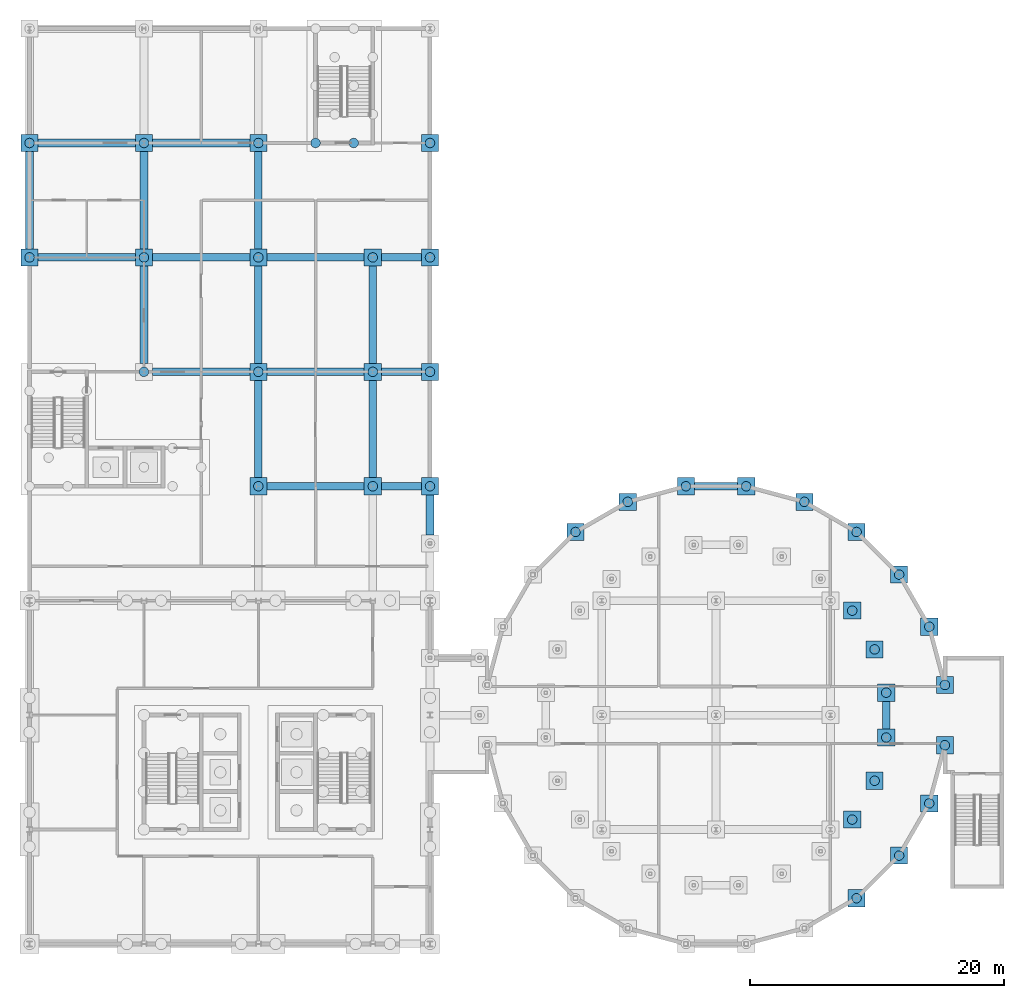
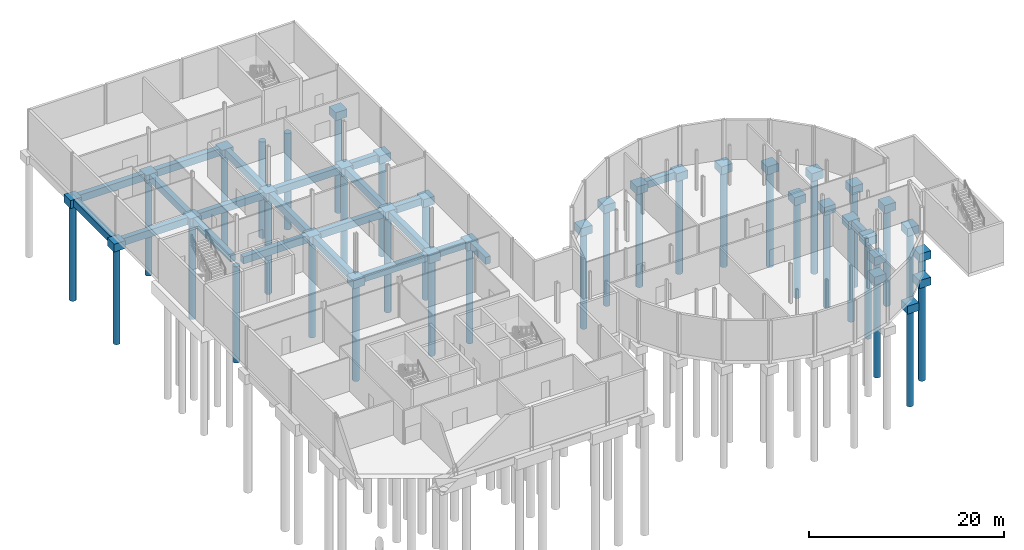
# One storey, part 3 of 25: 56 footings, 37 piles.
"""IFC4 building model written with IfcOpenShell, lengths in metres."""

from ifc_helpers import new_model, si_unit, direction, frame, origin, origin_2d, place, context, subcontext, project, spatial, polyline, circle, outline, extrude, material, material_profile, profile_set, type_object, element, save


model = new_model("IFC4")

# Units and contexts
model_context = context("Model", 3, precision=1e-05, world=origin(), true_north=direction((0.0, 1.0)))
body_context = subcontext(model_context, "Body", "Model", "MODEL_VIEW")
ifc_project = project(units=[si_unit("LENGTHUNIT", "METRE"), si_unit("AREAUNIT", "SQUARE_METRE"), si_unit("VOLUMEUNIT", "CUBIC_METRE"), si_unit("PLANEANGLEUNIT", "RADIAN"), si_unit("MASSUNIT", "GRAM", prefix="KILO")], contexts=[model_context])

# Site, building, storey
site_placement = place(None, origin())
site = spatial("IfcSite", under=ifc_project, at=site_placement, CompositionType="ELEMENT")
building_placement = place(site_placement, origin())
building = spatial("IfcBuilding", under=site, at=building_placement, Name="Hortulan Conservatory and Botanical Research Centre", CompositionType="ELEMENT")
storey_placement = place(building_placement, frame((0.0, 0.0, -5.0)))
storey = spatial("IfcBuildingStorey", under=building, at=storey_placement, Name="B1", CompositionType="ELEMENT", Elevation=-5.0)

# Piles
ifc_material = material(Name="Concrete N40 (40 MPa, AS 3600)", Category="concrete")
ifc_material_profile = material_profile(ifc_material, circle(Radius=0.375, at=origin_2d()), Name="Bored pile 750 diameter")
ifc_profile_set = profile_set([ifc_material_profile], Name="Concrete N40 (40 MPa, AS 3600)")
pile_type = type_object("IfcPileType", Name="Bored Pile 750", PredefinedType="BORED", material=ifc_profile_set)
for number, where, z_axis, x_axis, name in (
    (1, (22.5, 63.0, -1.300048828125), (0.0, 0.0, -1.0), (1.0, 0.0, 0.0), "Bored pile 750"),
    (2, (25.5, 63.0, -1.300048828125), (0.0, 0.0, -1.0), (1.0, 0.0, 0.0), "Bored pile 750"),
    (3, (0.0, 54.0, -1.300048828125), (0.0, 0.0, -1.0), (1.0, 0.0, 0.0), "Bored pile 750"),
    (4, (0.0, 63.0, -1.300048828125), (0.0, 0.0, -1.0), (1.0, 0.0, 0.0), "Bored pile 750"),
    (5, (9.0, 45.0, -1.300048828125), (0.0, 0.0, -1.0), (1.0, 0.0, 0.0), "Bored pile 750"),
    (6, (9.0, 54.0, -1.300048828125), (0.0, 0.0, -1.0), (1.0, 0.0, 0.0), "Bored pile 750"),
    (7, (9.0, 63.0, -1.300048828125), (0.0, 0.0, -1.0), (1.0, 0.0, 0.0), "Bored pile 750"),
    (8, (18.0, 36.0, -1.300048828125), (0.0, 0.0, -1.0), (1.0, 0.0, 0.0), "Bored pile 750"),
    (9, (18.0, 45.0, -1.300048828125), (0.0, 0.0, -1.0), (1.0, 0.0, 0.0), "Bored pile 750"),
    (10, (18.0, 54.0, -1.300048828125), (0.0, 0.0, -1.0), (1.0, 0.0, 0.0), "Bored pile 750"),
    (11, (18.0, 63.0, -1.300048828125), (0.0, 0.0, -1.0), (1.0, 0.0, 0.0), "Bored pile 750"),
    (12, (27.0, 36.0, -1.300048828125), (0.0, 0.0, -1.0), (1.0, 0.0, 0.0), "Bored pile 750"),
    (13, (27.0, 45.0, -1.300048828125), (0.0, 0.0, -1.0), (1.0, 0.0, 0.0), "Bored pile 750"),
    (14, (27.0, 54.0, -1.300048828125), (0.0, 0.0, -1.0), (1.0, 0.0, 0.0), "Bored pile 750"),
    (15, (31.5, 36.0, -1.300048828125), (0.0, 0.0, -1.0), (1.0, 0.0, 0.0), "Bored pile 750"),
    (16, (31.5, 45.0, -1.300048828125), (0.0, 0.0, -1.0), (1.0, 0.0, 0.0), "Bored pile 750"),
    (17, (31.5, 54.0, -1.300048828125), (0.0, 0.0, -1.0), (1.0, 0.0, 0.0), "Bored pile 750"),
    (18, (31.5, 63.0, -1.300048828125), (0.0, 0.0, -1.0), (1.0, 0.0, 0.0), "Bored pile 750"),
    (19, (72.0, 20.36962890625, -1.300048828125), (0.0, 0.0, -1.0), (1.0, 0.0, 0.0), "Bored pile 750"),
    (20, (70.773193359375, 24.94775390625, -1.300048828125), (0.0, 0.0, -1.0), (1.0, 0.0, 0.0), "Bored pile 750"),
    (21, (68.403564453125, 29.05224609375, -1.300048828125), (0.0, 0.0, -1.0), (1.0, 0.0, 0.0), "Bored pile 750"),
    (22, (65.05224609375, 32.403564453125, -1.300048828125), (0.0, 0.0, -1.0), (1.0, 0.0, 0.0), "Bored pile 750"),
    (23, (60.94775390625, 34.773193359375, -1.300048828125), (0.0, 0.0, -1.0), (1.0, 0.0, 0.0), "Bored pile 750"),
    (24, (56.36962890625, 36.0, -1.300048828125), (0.0, 0.0, -1.0), (1.0, 0.0, 0.0), "Bored pile 750"),
    (25, (51.63037109375, 36.0, -1.300048828125), (0.0, 0.0, -1.0), (1.0, 0.0, 0.0), "Bored pile 750"),
    (26, (47.05224609375, 34.773193359375, -1.300048828125), (0.0, 0.0, -1.0), (1.0, 0.0, 0.0), "Bored pile 750"),
    (27, (42.94775390625, 32.403564453125, -1.300048828125), (0.0, 0.0, -1.0), (1.0, 0.0, 0.0), "Bored pile 750"),
    (28, (65.05224609375, 3.596435546875, -1.300048828125), (0.0, 0.0, -1.0), (1.0, 0.0, 0.0), "Bored pile 750"),
    (29, (68.403564453125, 6.94775390625, -1.300048828125), (0.0, 0.0, -1.0), (1.0, 0.0, 0.0), "Bored pile 750"),
    (30, (70.773193359375, 11.05224609375, -1.300048828125), (0.0, 0.0, -1.0), (1.0, 0.0, 0.0), "Bored pile 750"),
    (31, (72.0, 15.63037109375, -1.300048828125), (0.0, 0.0, -1.0), (1.0, 0.0, 0.0), "Bored pile 750"),
    (32, (67.384521484375, 19.76220703125, -1.300048828125), (0.0, 0.0, -1.0), (1.0, 0.0, 0.0), "Bored pile 750"),
    (33, (66.472412109375, 23.166259765625, -1.300048828125), (0.0, 0.0, -1.0), (1.0, 0.0, 0.0), "Bored pile 750"),
    (34, (64.710205078125, 26.21826171875, -1.300048828125), (0.0, 0.0, -1.0), (1.0, 0.0, 0.0), "Bored pile 750"),
    (35, (64.710205078125, 9.78173828125, -1.300048828125), (0.0, 0.0, -1.0), (1.0, 0.0, 0.0), "Bored pile 750"),
    (36, (66.472412109375, 12.833740234375, -1.300048828125), (0.0, 0.0, -1.0), (1.0, 0.0, 0.0), "Bored pile 750"),
    (37, (67.384521484375, 16.23779296875, -1.300048828125), (0.0, 0.0, -1.0), (1.0, 0.0, 0.0), "Bored pile 750"),
):
    element("IfcPile", number, at=place(storey_placement, frame(where, z_axis=z_axis, x_axis=x_axis)), inside=storey, type_object=pile_type, Name=name, PredefinedType="BORED", context=body_context, shape_type="SweptSolid", body=[
        extrude(circle(Radius=0.375, at=origin_2d()), origin(), (0.0, 0.0, 1.0), 12.10009765625),
    ])

# Footings
footing_type_1 = type_object("IfcFootingType", Name="Ground Beam 600x900", PredefinedType="FOOTING_BEAM", material=ifc_material)
footing_1_placement = place(storey_placement, frame((0.0, 0.0, -1.300048828125)))
element("IfcFooting", 38, at=footing_1_placement, inside=storey, type_object=footing_type_1, Name="Ground beam", PredefinedType="FOOTING_BEAM", context=body_context, shape_type="SweptSolid", body=[
    extrude(outline(polyline([(26.324951171875, 35.699951171875), (26.324951171875, 36.300048828125), (18.675048828125, 36.300048828125), (18.675048828125, 35.699951171875), (26.324951171875, 35.699951171875)])), origin(), (0.0, 0.0, 1.0), 0.900146484375),
])
footing_2_placement = place(storey_placement, frame((0.0, 0.0, -1.300048828125)))
element("IfcFooting", 39, at=footing_2_placement, inside=storey, type_object=footing_type_1, Name="Ground beam", PredefinedType="FOOTING_BEAM", context=body_context, shape_type="SweptSolid", body=[
    extrude(outline(polyline([(30.824951171875, 35.699951171875), (30.824951171875, 36.300048828125), (27.675048828125, 36.300048828125), (27.675048828125, 35.699951171875), (30.824951171875, 35.699951171875)])), origin(), (0.0, 0.0, 1.0), 0.900146484375),
])
footing_3_placement = place(storey_placement, frame((0.0, 0.0, -1.300048828125)))
element("IfcFooting", 40, at=footing_3_placement, inside=storey, type_object=footing_type_1, Name="Ground beam", PredefinedType="FOOTING_BEAM", context=body_context, shape_type="SweptSolid", body=[
    extrude(outline(polyline([(55.694580078125, 35.699951171875), (55.694580078125, 36.300048828125), (52.305419921875, 36.300048828125), (52.305419921875, 35.699951171875), (55.694580078125, 35.699951171875)])), origin(), (0.0, 0.0, 1.0), 0.900146484375),
])
footing_4_placement = place(storey_placement, frame((0.0, 0.0, -1.300048828125)))
element("IfcFooting", 41, at=footing_4_placement, inside=storey, type_object=footing_type_1, Name="Ground beam", PredefinedType="FOOTING_BEAM", context=body_context, shape_type="SweptSolid", body=[
    extrude(outline(polyline([(17.324951171875, 44.699951171875), (17.324951171875, 45.300048828125), (9.675048828125, 45.300048828125), (9.675048828125, 44.699951171875), (17.324951171875, 44.699951171875)])), origin(), (0.0, 0.0, 1.0), 0.900146484375),
])
footing_5_placement = place(storey_placement, frame((0.0, 0.0, -1.300048828125)))
element("IfcFooting", 42, at=footing_5_placement, inside=storey, type_object=footing_type_1, Name="Ground beam", PredefinedType="FOOTING_BEAM", context=body_context, shape_type="SweptSolid", body=[
    extrude(outline(polyline([(26.324951171875, 44.699951171875), (26.324951171875, 45.300048828125), (18.675048828125, 45.300048828125), (18.675048828125, 44.699951171875), (26.324951171875, 44.699951171875)])), origin(), (0.0, 0.0, 1.0), 0.900146484375),
])
footing_6_placement = place(storey_placement, frame((0.0, 0.0, -1.300048828125)))
element("IfcFooting", 43, at=footing_6_placement, inside=storey, type_object=footing_type_1, Name="Ground beam", PredefinedType="FOOTING_BEAM", context=body_context, shape_type="SweptSolid", body=[
    extrude(outline(polyline([(30.824951171875, 44.699951171875), (30.824951171875, 45.300048828125), (27.675048828125, 45.300048828125), (27.675048828125, 44.699951171875), (30.824951171875, 44.699951171875)])), origin(), (0.0, 0.0, 1.0), 0.900146484375),
])
footing_7_placement = place(storey_placement, frame((0.0, 0.0, -1.300048828125)))
element("IfcFooting", 44, at=footing_7_placement, inside=storey, type_object=footing_type_1, Name="Ground beam", PredefinedType="FOOTING_BEAM", context=body_context, shape_type="SweptSolid", body=[
    extrude(outline(polyline([(8.324951171875, 53.699951171875), (8.324951171875, 54.300048828125), (0.675048828125, 54.300048828125), (0.675048828125, 53.699951171875), (8.324951171875, 53.699951171875)])), origin(), (0.0, 0.0, 1.0), 0.900146484375),
])
footing_8_placement = place(storey_placement, frame((0.0, 0.0, -1.300048828125)))
element("IfcFooting", 45, at=footing_8_placement, inside=storey, type_object=footing_type_1, Name="Ground beam", PredefinedType="FOOTING_BEAM", context=body_context, shape_type="SweptSolid", body=[
    extrude(outline(polyline([(17.324951171875, 53.699951171875), (17.324951171875, 54.300048828125), (9.675048828125, 54.300048828125), (9.675048828125, 53.699951171875), (17.324951171875, 53.699951171875)])), origin(), (0.0, 0.0, 1.0), 0.900146484375),
])
footing_9_placement = place(storey_placement, frame((0.0, 0.0, -1.300048828125)))
element("IfcFooting", 46, at=footing_9_placement, inside=storey, type_object=footing_type_1, Name="Ground beam", PredefinedType="FOOTING_BEAM", context=body_context, shape_type="SweptSolid", body=[
    extrude(outline(polyline([(26.324951171875, 53.699951171875), (26.324951171875, 54.300048828125), (18.675048828125, 54.300048828125), (18.675048828125, 53.699951171875), (26.324951171875, 53.699951171875)])), origin(), (0.0, 0.0, 1.0), 0.900146484375),
])
footing_10_placement = place(storey_placement, frame((0.0, 0.0, -1.300048828125)))
element("IfcFooting", 47, at=footing_10_placement, inside=storey, type_object=footing_type_1, Name="Ground beam", PredefinedType="FOOTING_BEAM", context=body_context, shape_type="SweptSolid", body=[
    extrude(outline(polyline([(30.824951171875, 53.699951171875), (30.824951171875, 54.300048828125), (27.675048828125, 54.300048828125), (27.675048828125, 53.699951171875), (30.824951171875, 53.699951171875)])), origin(), (0.0, 0.0, 1.0), 0.900146484375),
])
footing_11_placement = place(storey_placement, frame((0.0, 0.0, -1.300048828125)))
element("IfcFooting", 48, at=footing_11_placement, inside=storey, type_object=footing_type_1, Name="Ground beam", PredefinedType="FOOTING_BEAM", context=body_context, shape_type="SweptSolid", body=[
    extrude(outline(polyline([(8.324951171875, 62.699951171875), (8.324951171875, 63.300048828125), (0.675048828125, 63.300048828125), (0.675048828125, 62.699951171875), (8.324951171875, 62.699951171875)])), origin(), (0.0, 0.0, 1.0), 0.900146484375),
])
footing_12_placement = place(storey_placement, frame((0.0, 0.0, -1.300048828125)))
element("IfcFooting", 49, at=footing_12_placement, inside=storey, type_object=footing_type_1, Name="Ground beam", PredefinedType="FOOTING_BEAM", context=body_context, shape_type="SweptSolid", body=[
    extrude(outline(polyline([(17.324951171875, 62.699951171875), (17.324951171875, 63.300048828125), (9.675048828125, 63.300048828125), (9.675048828125, 62.699951171875), (17.324951171875, 62.699951171875)])), origin(), (0.0, 0.0, 1.0), 0.900146484375),
])
footing_13_placement = place(storey_placement, frame((0.0, 0.0, -1.300048828125)))
element("IfcFooting", 50, at=footing_13_placement, inside=storey, type_object=footing_type_1, Name="Ground beam", PredefinedType="FOOTING_BEAM", context=body_context, shape_type="SweptSolid", body=[
    extrude(outline(polyline([(0.300048828125, 54.675048828125), (0.300048828125, 62.324951171875), (-0.300048828125, 62.324951171875), (-0.300048828125, 54.675048828125), (0.300048828125, 54.675048828125)])), origin(), (0.0, 0.0, 1.0), 0.900146484375),
])
footing_14_placement = place(storey_placement, frame((0.0, 0.0, -1.300048828125)))
element("IfcFooting", 51, at=footing_14_placement, inside=storey, type_object=footing_type_1, Name="Ground beam", PredefinedType="FOOTING_BEAM", context=body_context, shape_type="SweptSolid", body=[
    extrude(outline(polyline([(9.300048828125, 45.675048828125), (9.300048828125, 53.324951171875), (8.699951171875, 53.324951171875), (8.699951171875, 45.675048828125), (9.300048828125, 45.675048828125)])), origin(), (0.0, 0.0, 1.0), 0.900146484375),
])
footing_15_placement = place(storey_placement, frame((0.0, 0.0, -1.300048828125)))
element("IfcFooting", 52, at=footing_15_placement, inside=storey, type_object=footing_type_1, Name="Ground beam", PredefinedType="FOOTING_BEAM", context=body_context, shape_type="SweptSolid", body=[
    extrude(outline(polyline([(9.300048828125, 54.675048828125), (9.300048828125, 62.324951171875), (8.699951171875, 62.324951171875), (8.699951171875, 54.675048828125), (9.300048828125, 54.675048828125)])), origin(), (0.0, 0.0, 1.0), 0.900146484375),
])
footing_16_placement = place(storey_placement, frame((0.0, 0.0, -1.300048828125)))
element("IfcFooting", 53, at=footing_16_placement, inside=storey, type_object=footing_type_1, Name="Ground beam", PredefinedType="FOOTING_BEAM", context=body_context, shape_type="SweptSolid", body=[
    extrude(outline(polyline([(18.300048828125, 36.675048828125), (18.300048828125, 44.324951171875), (17.699951171875, 44.324951171875), (17.699951171875, 36.675048828125), (18.300048828125, 36.675048828125)])), origin(), (0.0, 0.0, 1.0), 0.900146484375),
])
footing_17_placement = place(storey_placement, frame((0.0, 0.0, -1.300048828125)))
element("IfcFooting", 54, at=footing_17_placement, inside=storey, type_object=footing_type_1, Name="Ground beam", PredefinedType="FOOTING_BEAM", context=body_context, shape_type="SweptSolid", body=[
    extrude(outline(polyline([(18.300048828125, 45.675048828125), (18.300048828125, 53.324951171875), (17.699951171875, 53.324951171875), (17.699951171875, 45.675048828125), (18.300048828125, 45.675048828125)])), origin(), (0.0, 0.0, 1.0), 0.900146484375),
])
footing_18_placement = place(storey_placement, frame((0.0, 0.0, -1.300048828125)))
element("IfcFooting", 55, at=footing_18_placement, inside=storey, type_object=footing_type_1, Name="Ground beam", PredefinedType="FOOTING_BEAM", context=body_context, shape_type="SweptSolid", body=[
    extrude(outline(polyline([(18.300048828125, 54.675048828125), (18.300048828125, 62.324951171875), (17.699951171875, 62.324951171875), (17.699951171875, 54.675048828125), (18.300048828125, 54.675048828125)])), origin(), (0.0, 0.0, 1.0), 0.900146484375),
])
footing_19_placement = place(storey_placement, frame((0.0, 0.0, -1.300048828125)))
element("IfcFooting", 56, at=footing_19_placement, inside=storey, type_object=footing_type_1, Name="Ground beam", PredefinedType="FOOTING_BEAM", context=body_context, shape_type="SweptSolid", body=[
    extrude(outline(polyline([(27.300048828125, 36.675048828125), (27.300048828125, 44.324951171875), (26.699951171875, 44.324951171875), (26.699951171875, 36.675048828125), (27.300048828125, 36.675048828125)])), origin(), (0.0, 0.0, 1.0), 0.900146484375),
])
footing_20_placement = place(storey_placement, frame((0.0, 0.0, -1.300048828125)))
element("IfcFooting", 57, at=footing_20_placement, inside=storey, type_object=footing_type_1, Name="Ground beam", PredefinedType="FOOTING_BEAM", context=body_context, shape_type="SweptSolid", body=[
    extrude(outline(polyline([(27.300048828125, 45.675048828125), (27.300048828125, 53.324951171875), (26.699951171875, 53.324951171875), (26.699951171875, 45.675048828125), (27.300048828125, 45.675048828125)])), origin(), (0.0, 0.0, 1.0), 0.900146484375),
])
footing_21_placement = place(storey_placement, frame((0.0, 0.0, -1.300048828125)))
element("IfcFooting", 58, at=footing_21_placement, inside=storey, type_object=footing_type_1, Name="Ground beam", PredefinedType="FOOTING_BEAM", context=body_context, shape_type="SweptSolid", body=[
    extrude(outline(polyline([(31.800048828125, 32.175048828125), (31.800048828125, 35.324951171875), (31.199951171875, 35.324951171875), (31.199951171875, 32.175048828125), (31.800048828125, 32.175048828125)])), origin(), (0.0, 0.0, 1.0), 0.900146484375),
])
footing_22_placement = place(storey_placement, frame((0.0, 0.0, -1.300048828125)))
element("IfcFooting", 59, at=footing_22_placement, inside=storey, type_object=footing_type_1, Name="Ground beam", PredefinedType="FOOTING_BEAM", context=body_context, shape_type="SweptSolid", body=[
    extrude(outline(polyline([(67.6845703125, 16.912841796875), (67.6845703125, 19.087158203125), (67.08447265625, 19.087158203125), (67.08447265625, 16.912841796875), (67.6845703125, 16.912841796875)])), origin(), (0.0, 0.0, 1.0), 0.900146484375),
])
footing_type_2 = type_object("IfcFootingType", Name="Pile Cap 1350x1350x1000", PredefinedType="PILE_CAP", material=ifc_material)
footing_23_placement = place(storey_placement, frame((0.0, 0.0, -1.39990234375)))
element("IfcFooting", 60, at=footing_23_placement, inside=storey, type_object=footing_type_2, Name="Pile cap", PredefinedType="PILE_CAP", context=body_context, shape_type="SweptSolid", body=[
    extrude(outline(polyline([(0.675048828125, 53.324951171875), (0.675048828125, 54.675048828125), (-0.675048828125, 54.675048828125), (-0.675048828125, 53.324951171875), (0.675048828125, 53.324951171875)])), origin(), (0.0, 0.0, 1.0), 1.0),
])
footing_24_placement = place(storey_placement, frame((0.0, 0.0, -1.39990234375)))
element("IfcFooting", 61, at=footing_24_placement, inside=storey, type_object=footing_type_2, Name="Pile cap", PredefinedType="PILE_CAP", context=body_context, shape_type="SweptSolid", body=[
    extrude(outline(polyline([(0.675048828125, 62.324951171875), (0.675048828125, 63.675048828125), (-0.675048828125, 63.675048828125), (-0.675048828125, 62.324951171875), (0.675048828125, 62.324951171875)])), origin(), (0.0, 0.0, 1.0), 1.0),
])
footing_25_placement = place(storey_placement, frame((0.0, 0.0, -1.39990234375)))
element("IfcFooting", 62, at=footing_25_placement, inside=storey, type_object=footing_type_2, Name="Pile cap", PredefinedType="PILE_CAP", context=body_context, shape_type="SweptSolid", body=[
    extrude(outline(polyline([(9.675048828125, 53.324951171875), (9.675048828125, 54.675048828125), (8.324951171875, 54.675048828125), (8.324951171875, 53.324951171875), (9.675048828125, 53.324951171875)])), origin(), (0.0, 0.0, 1.0), 1.0),
])
footing_26_placement = place(storey_placement, frame((0.0, 0.0, -1.39990234375)))
element("IfcFooting", 63, at=footing_26_placement, inside=storey, type_object=footing_type_2, Name="Pile cap", PredefinedType="PILE_CAP", context=body_context, shape_type="SweptSolid", body=[
    extrude(outline(polyline([(9.675048828125, 62.324951171875), (9.675048828125, 63.675048828125), (8.324951171875, 63.675048828125), (8.324951171875, 62.324951171875), (9.675048828125, 62.324951171875)])), origin(), (0.0, 0.0, 1.0), 1.0),
])
footing_27_placement = place(storey_placement, frame((0.0, 0.0, -1.39990234375)))
element("IfcFooting", 64, at=footing_27_placement, inside=storey, type_object=footing_type_2, Name="Pile cap", PredefinedType="PILE_CAP", context=body_context, shape_type="SweptSolid", body=[
    extrude(outline(polyline([(18.675048828125, 35.324951171875), (18.675048828125, 36.675048828125), (17.324951171875, 36.675048828125), (17.324951171875, 35.324951171875), (18.675048828125, 35.324951171875)])), origin(), (0.0, 0.0, 1.0), 1.0),
])
footing_28_placement = place(storey_placement, frame((0.0, 0.0, -1.39990234375)))
element("IfcFooting", 65, at=footing_28_placement, inside=storey, type_object=footing_type_2, Name="Pile cap", PredefinedType="PILE_CAP", context=body_context, shape_type="SweptSolid", body=[
    extrude(outline(polyline([(18.675048828125, 44.324951171875), (18.675048828125, 45.675048828125), (17.324951171875, 45.675048828125), (17.324951171875, 44.324951171875), (18.675048828125, 44.324951171875)])), origin(), (0.0, 0.0, 1.0), 1.0),
])
footing_29_placement = place(storey_placement, frame((0.0, 0.0, -1.39990234375)))
element("IfcFooting", 66, at=footing_29_placement, inside=storey, type_object=footing_type_2, Name="Pile cap", PredefinedType="PILE_CAP", context=body_context, shape_type="SweptSolid", body=[
    extrude(outline(polyline([(18.675048828125, 53.324951171875), (18.675048828125, 54.675048828125), (17.324951171875, 54.675048828125), (17.324951171875, 53.324951171875), (18.675048828125, 53.324951171875)])), origin(), (0.0, 0.0, 1.0), 1.0),
])
footing_30_placement = place(storey_placement, frame((0.0, 0.0, -1.39990234375)))
element("IfcFooting", 67, at=footing_30_placement, inside=storey, type_object=footing_type_2, Name="Pile cap", PredefinedType="PILE_CAP", context=body_context, shape_type="SweptSolid", body=[
    extrude(outline(polyline([(18.675048828125, 62.324951171875), (18.675048828125, 63.675048828125), (17.324951171875, 63.675048828125), (17.324951171875, 62.324951171875), (18.675048828125, 62.324951171875)])), origin(), (0.0, 0.0, 1.0), 1.0),
])
footing_31_placement = place(storey_placement, frame((0.0, 0.0, -1.39990234375)))
element("IfcFooting", 68, at=footing_31_placement, inside=storey, type_object=footing_type_2, Name="Pile cap", PredefinedType="PILE_CAP", context=body_context, shape_type="SweptSolid", body=[
    extrude(outline(polyline([(27.675048828125, 35.324951171875), (27.675048828125, 36.675048828125), (26.324951171875, 36.675048828125), (26.324951171875, 35.324951171875), (27.675048828125, 35.324951171875)])), origin(), (0.0, 0.0, 1.0), 1.0),
])
footing_32_placement = place(storey_placement, frame((0.0, 0.0, -1.39990234375)))
element("IfcFooting", 69, at=footing_32_placement, inside=storey, type_object=footing_type_2, Name="Pile cap", PredefinedType="PILE_CAP", context=body_context, shape_type="SweptSolid", body=[
    extrude(outline(polyline([(27.675048828125, 44.324951171875), (27.675048828125, 45.675048828125), (26.324951171875, 45.675048828125), (26.324951171875, 44.324951171875), (27.675048828125, 44.324951171875)])), origin(), (0.0, 0.0, 1.0), 1.0),
])
footing_33_placement = place(storey_placement, frame((0.0, 0.0, -1.39990234375)))
element("IfcFooting", 70, at=footing_33_placement, inside=storey, type_object=footing_type_2, Name="Pile cap", PredefinedType="PILE_CAP", context=body_context, shape_type="SweptSolid", body=[
    extrude(outline(polyline([(27.675048828125, 53.324951171875), (27.675048828125, 54.675048828125), (26.324951171875, 54.675048828125), (26.324951171875, 53.324951171875), (27.675048828125, 53.324951171875)])), origin(), (0.0, 0.0, 1.0), 1.0),
])
footing_34_placement = place(storey_placement, frame((0.0, 0.0, -1.39990234375)))
element("IfcFooting", 71, at=footing_34_placement, inside=storey, type_object=footing_type_2, Name="Pile cap", PredefinedType="PILE_CAP", context=body_context, shape_type="SweptSolid", body=[
    extrude(outline(polyline([(32.175048828125, 35.324951171875), (32.175048828125, 36.675048828125), (30.824951171875, 36.675048828125), (30.824951171875, 35.324951171875), (32.175048828125, 35.324951171875)])), origin(), (0.0, 0.0, 1.0), 1.0),
])
footing_35_placement = place(storey_placement, frame((0.0, 0.0, -1.39990234375)))
element("IfcFooting", 72, at=footing_35_placement, inside=storey, type_object=footing_type_2, Name="Pile cap", PredefinedType="PILE_CAP", context=body_context, shape_type="SweptSolid", body=[
    extrude(outline(polyline([(32.175048828125, 44.324951171875), (32.175048828125, 45.675048828125), (30.824951171875, 45.675048828125), (30.824951171875, 44.324951171875), (32.175048828125, 44.324951171875)])), origin(), (0.0, 0.0, 1.0), 1.0),
])
footing_36_placement = place(storey_placement, frame((0.0, 0.0, -1.39990234375)))
element("IfcFooting", 73, at=footing_36_placement, inside=storey, type_object=footing_type_2, Name="Pile cap", PredefinedType="PILE_CAP", context=body_context, shape_type="SweptSolid", body=[
    extrude(outline(polyline([(32.175048828125, 53.324951171875), (32.175048828125, 54.675048828125), (30.824951171875, 54.675048828125), (30.824951171875, 53.324951171875), (32.175048828125, 53.324951171875)])), origin(), (0.0, 0.0, 1.0), 1.0),
])
footing_37_placement = place(storey_placement, frame((0.0, 0.0, -1.39990234375)))
element("IfcFooting", 74, at=footing_37_placement, inside=storey, type_object=footing_type_2, Name="Pile cap", PredefinedType="PILE_CAP", context=body_context, shape_type="SweptSolid", body=[
    extrude(outline(polyline([(32.175048828125, 62.324951171875), (32.175048828125, 63.675048828125), (30.824951171875, 63.675048828125), (30.824951171875, 62.324951171875), (32.175048828125, 62.324951171875)])), origin(), (0.0, 0.0, 1.0), 1.0),
])
footing_38_placement = place(storey_placement, frame((0.0, 0.0, -1.39990234375)))
element("IfcFooting", 75, at=footing_38_placement, inside=storey, type_object=footing_type_2, Name="Pile cap", PredefinedType="PILE_CAP", context=body_context, shape_type="SweptSolid", body=[
    extrude(outline(polyline([(72.675048828125, 19.694580078125), (72.675048828125, 21.044677734375), (71.324951171875, 21.044677734375), (71.324951171875, 19.694580078125), (72.675048828125, 19.694580078125)])), origin(), (0.0, 0.0, 1.0), 1.0),
])
footing_39_placement = place(storey_placement, frame((0.0, 0.0, -1.39990234375)))
element("IfcFooting", 76, at=footing_39_placement, inside=storey, type_object=footing_type_2, Name="Pile cap", PredefinedType="PILE_CAP", context=body_context, shape_type="SweptSolid", body=[
    extrude(outline(polyline([(71.4482421875, 24.272705078125), (71.4482421875, 25.622802734375), (70.098388671875, 25.622802734375), (70.098388671875, 24.272705078125), (71.4482421875, 24.272705078125)])), origin(), (0.0, 0.0, 1.0), 1.0),
])
footing_40_placement = place(storey_placement, frame((0.0, 0.0, -1.39990234375)))
element("IfcFooting", 77, at=footing_40_placement, inside=storey, type_object=footing_type_2, Name="Pile cap", PredefinedType="PILE_CAP", context=body_context, shape_type="SweptSolid", body=[
    extrude(outline(polyline([(69.07861328125, 28.377197265625), (69.07861328125, 29.727294921875), (67.728515625, 29.727294921875), (67.728515625, 28.377197265625), (69.07861328125, 28.377197265625)])), origin(), (0.0, 0.0, 1.0), 1.0),
])
footing_41_placement = place(storey_placement, frame((0.0, 0.0, -1.39990234375)))
element("IfcFooting", 78, at=footing_41_placement, inside=storey, type_object=footing_type_2, Name="Pile cap", PredefinedType="PILE_CAP", context=body_context, shape_type="SweptSolid", body=[
    extrude(outline(polyline([(65.727294921875, 31.728515625), (65.727294921875, 33.07861328125), (64.377197265625, 33.07861328125), (64.377197265625, 31.728515625), (65.727294921875, 31.728515625)])), origin(), (0.0, 0.0, 1.0), 1.0),
])
footing_42_placement = place(storey_placement, frame((0.0, 0.0, -1.39990234375)))
element("IfcFooting", 79, at=footing_42_placement, inside=storey, type_object=footing_type_2, Name="Pile cap", PredefinedType="PILE_CAP", context=body_context, shape_type="SweptSolid", body=[
    extrude(outline(polyline([(61.622802734375, 34.098388671875), (61.622802734375, 35.4482421875), (60.272705078125, 35.4482421875), (60.272705078125, 34.098388671875), (61.622802734375, 34.098388671875)])), origin(), (0.0, 0.0, 1.0), 1.0),
])
footing_43_placement = place(storey_placement, frame((0.0, 0.0, -1.39990234375)))
element("IfcFooting", 80, at=footing_43_placement, inside=storey, type_object=footing_type_2, Name="Pile cap", PredefinedType="PILE_CAP", context=body_context, shape_type="SweptSolid", body=[
    extrude(outline(polyline([(57.044677734375, 35.324951171875), (57.044677734375, 36.675048828125), (55.694580078125, 36.675048828125), (55.694580078125, 35.324951171875), (57.044677734375, 35.324951171875)])), origin(), (0.0, 0.0, 1.0), 1.0),
])
footing_44_placement = place(storey_placement, frame((0.0, 0.0, -1.39990234375)))
element("IfcFooting", 81, at=footing_44_placement, inside=storey, type_object=footing_type_2, Name="Pile cap", PredefinedType="PILE_CAP", context=body_context, shape_type="SweptSolid", body=[
    extrude(outline(polyline([(52.305419921875, 35.324951171875), (52.305419921875, 36.675048828125), (50.955322265625, 36.675048828125), (50.955322265625, 35.324951171875), (52.305419921875, 35.324951171875)])), origin(), (0.0, 0.0, 1.0), 1.0),
])
footing_45_placement = place(storey_placement, frame((0.0, 0.0, -1.39990234375)))
element("IfcFooting", 82, at=footing_45_placement, inside=storey, type_object=footing_type_2, Name="Pile cap", PredefinedType="PILE_CAP", context=body_context, shape_type="SweptSolid", body=[
    extrude(outline(polyline([(47.727294921875, 34.098388671875), (47.727294921875, 35.4482421875), (46.377197265625, 35.4482421875), (46.377197265625, 34.098388671875), (47.727294921875, 34.098388671875)])), origin(), (0.0, 0.0, 1.0), 1.0),
])
footing_46_placement = place(storey_placement, frame((0.0, 0.0, -1.39990234375)))
element("IfcFooting", 83, at=footing_46_placement, inside=storey, type_object=footing_type_2, Name="Pile cap", PredefinedType="PILE_CAP", context=body_context, shape_type="SweptSolid", body=[
    extrude(outline(polyline([(43.622802734375, 31.728515625), (43.622802734375, 33.07861328125), (42.272705078125, 33.07861328125), (42.272705078125, 31.728515625), (43.622802734375, 31.728515625)])), origin(), (0.0, 0.0, 1.0), 1.0),
])
footing_47_placement = place(storey_placement, frame((0.0, 0.0, -1.39990234375)))
element("IfcFooting", 84, at=footing_47_placement, inside=storey, type_object=footing_type_2, Name="Pile cap", PredefinedType="PILE_CAP", context=body_context, shape_type="SweptSolid", body=[
    extrude(outline(polyline([(65.727294921875, 2.92138671875), (65.727294921875, 4.271484375), (64.377197265625, 4.271484375), (64.377197265625, 2.92138671875), (65.727294921875, 2.92138671875)])), origin(), (0.0, 0.0, 1.0), 1.0),
])
footing_48_placement = place(storey_placement, frame((0.0, 0.0, -1.39990234375)))
element("IfcFooting", 85, at=footing_48_placement, inside=storey, type_object=footing_type_2, Name="Pile cap", PredefinedType="PILE_CAP", context=body_context, shape_type="SweptSolid", body=[
    extrude(outline(polyline([(69.07861328125, 6.272705078125), (69.07861328125, 7.622802734375), (67.728515625, 7.622802734375), (67.728515625, 6.272705078125), (69.07861328125, 6.272705078125)])), origin(), (0.0, 0.0, 1.0), 1.0),
])
footing_49_placement = place(storey_placement, frame((0.0, 0.0, -1.39990234375)))
element("IfcFooting", 86, at=footing_49_placement, inside=storey, type_object=footing_type_2, Name="Pile cap", PredefinedType="PILE_CAP", context=body_context, shape_type="SweptSolid", body=[
    extrude(outline(polyline([(71.4482421875, 10.377197265625), (71.4482421875, 11.727294921875), (70.098388671875, 11.727294921875), (70.098388671875, 10.377197265625), (71.4482421875, 10.377197265625)])), origin(), (0.0, 0.0, 1.0), 1.0),
])
footing_50_placement = place(storey_placement, frame((0.0, 0.0, -1.39990234375)))
element("IfcFooting", 87, at=footing_50_placement, inside=storey, type_object=footing_type_2, Name="Pile cap", PredefinedType="PILE_CAP", context=body_context, shape_type="SweptSolid", body=[
    extrude(outline(polyline([(72.675048828125, 14.955322265625), (72.675048828125, 16.305419921875), (71.324951171875, 16.305419921875), (71.324951171875, 14.955322265625), (72.675048828125, 14.955322265625)])), origin(), (0.0, 0.0, 1.0), 1.0),
])
footing_51_placement = place(storey_placement, frame((0.0, 0.0, -1.39990234375)))
element("IfcFooting", 88, at=footing_51_placement, inside=storey, type_object=footing_type_2, Name="Pile cap", PredefinedType="PILE_CAP", context=body_context, shape_type="SweptSolid", body=[
    extrude(outline(polyline([(68.0595703125, 19.087158203125), (68.0595703125, 20.43701171875), (66.70947265625, 20.43701171875), (66.70947265625, 19.087158203125), (68.0595703125, 19.087158203125)])), origin(), (0.0, 0.0, 1.0), 1.0),
])
footing_52_placement = place(storey_placement, frame((0.0, 0.0, -1.39990234375)))
element("IfcFooting", 89, at=footing_52_placement, inside=storey, type_object=footing_type_2, Name="Pile cap", PredefinedType="PILE_CAP", context=body_context, shape_type="SweptSolid", body=[
    extrude(outline(polyline([(67.1474609375, 22.4912109375), (67.1474609375, 23.84130859375), (65.79736328125, 23.84130859375), (65.79736328125, 22.4912109375), (67.1474609375, 22.4912109375)])), origin(), (0.0, 0.0, 1.0), 1.0),
])
footing_53_placement = place(storey_placement, frame((0.0, 0.0, -1.39990234375)))
element("IfcFooting", 90, at=footing_53_placement, inside=storey, type_object=footing_type_2, Name="Pile cap", PredefinedType="PILE_CAP", context=body_context, shape_type="SweptSolid", body=[
    extrude(outline(polyline([(65.38525390625, 25.543212890625), (65.38525390625, 26.893310546875), (64.035400390625, 26.893310546875), (64.035400390625, 25.543212890625), (65.38525390625, 25.543212890625)])), origin(), (0.0, 0.0, 1.0), 1.0),
])
footing_54_placement = place(storey_placement, frame((0.0, 0.0, -1.39990234375)))
element("IfcFooting", 91, at=footing_54_placement, inside=storey, type_object=footing_type_2, Name="Pile cap", PredefinedType="PILE_CAP", context=body_context, shape_type="SweptSolid", body=[
    extrude(outline(polyline([(65.38525390625, 9.106689453125), (65.38525390625, 10.456787109375), (64.035400390625, 10.456787109375), (64.035400390625, 9.106689453125), (65.38525390625, 9.106689453125)])), origin(), (0.0, 0.0, 1.0), 1.0),
])
footing_55_placement = place(storey_placement, frame((0.0, 0.0, -1.39990234375)))
element("IfcFooting", 92, at=footing_55_placement, inside=storey, type_object=footing_type_2, Name="Pile cap", PredefinedType="PILE_CAP", context=body_context, shape_type="SweptSolid", body=[
    extrude(outline(polyline([(67.1474609375, 12.15869140625), (67.1474609375, 13.5087890625), (65.79736328125, 13.5087890625), (65.79736328125, 12.15869140625), (67.1474609375, 12.15869140625)])), origin(), (0.0, 0.0, 1.0), 1.0),
])
footing_56_placement = place(storey_placement, frame((0.0, 0.0, -1.39990234375)))
element("IfcFooting", 93, at=footing_56_placement, inside=storey, type_object=footing_type_2, Name="Pile cap", PredefinedType="PILE_CAP", context=body_context, shape_type="SweptSolid", body=[
    extrude(outline(polyline([(68.0595703125, 15.56298828125), (68.0595703125, 16.912841796875), (66.70947265625, 16.912841796875), (66.70947265625, 15.56298828125), (68.0595703125, 15.56298828125)])), origin(), (0.0, 0.0, 1.0), 1.0),
])

save(model, "model.ifc")
